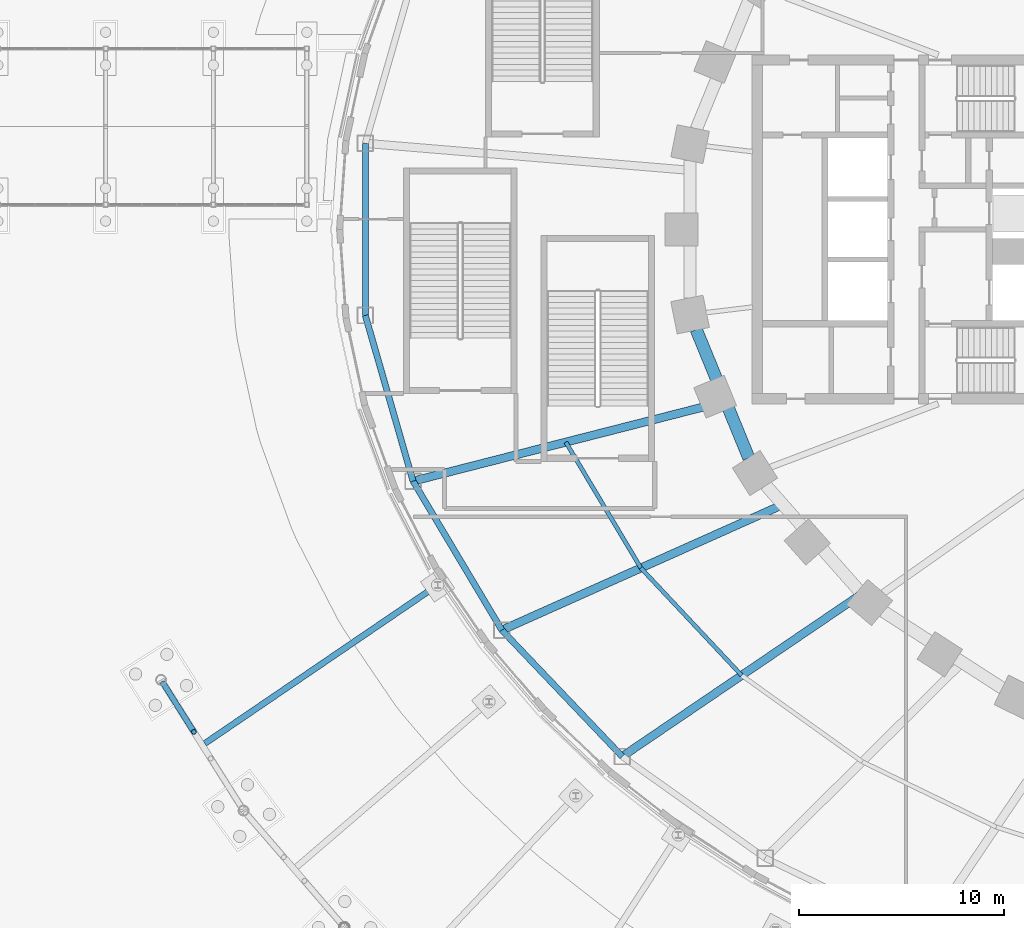
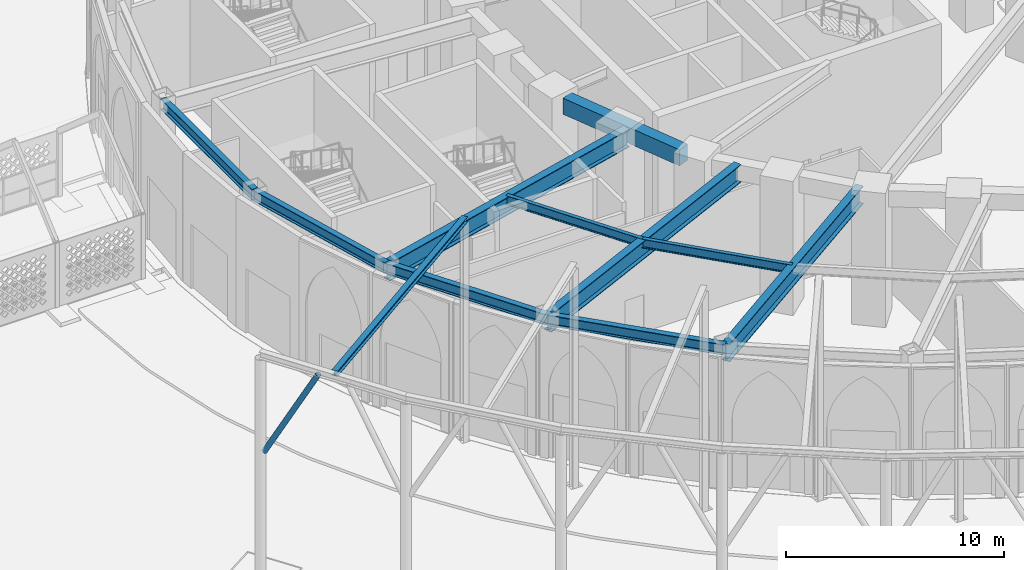
# One storey, part 22 of 79: 11 beams, 1 member.
"""IFC4 building model written with IfcOpenShell, lengths in metres."""

from ifc_helpers import new_model, si_unit, direction, frame, origin, origin_2d, place, context, subcontext, project, spatial, rectangle, hollow_circle, i_section, extrude, material, material_profile, profile_set, type_object, element, save


model = new_model("IFC4")

# Units and contexts
model_context = context("Model", 3, precision=1e-05, world=origin(), true_north=direction((0.0, 1.0)))
body_context = subcontext(model_context, "Body", "Model", "MODEL_VIEW")
ifc_project = project(units=[si_unit("LENGTHUNIT", "METRE"), si_unit("AREAUNIT", "SQUARE_METRE"), si_unit("VOLUMEUNIT", "CUBIC_METRE"), si_unit("PLANEANGLEUNIT", "RADIAN"), si_unit("MASSUNIT", "GRAM", prefix="KILO")], contexts=[model_context])

# Site, building, storey
site_placement = place(None, origin())
site = spatial("IfcSite", under=ifc_project, at=site_placement, CompositionType="ELEMENT")
building_placement = place(site_placement, origin())
building = spatial("IfcBuilding", under=site, at=building_placement, Name="Noorbagh Ring Tower", CompositionType="ELEMENT")
storey_placement = place(building_placement, origin())
storey = spatial("IfcBuildingStorey", under=building, at=storey_placement, Name="L00", CompositionType="ELEMENT", Elevation=0.0)

# Member
ifc_material_1 = material(Name="Steel S355", Category="steel")
ifc_material_profile_1 = material_profile(ifc_material_1, hollow_circle(Radius=0.136474609375, WallThickness=0.012451171875, at=origin_2d()), Name="CHS273x12.5")
ifc_profile_set_1 = profile_set([ifc_material_profile_1], Name="Steel S355")
member_type = type_object("IfcMemberType", Name="GND-CANOPY-BRANCH", PredefinedType="BRACE", material=ifc_profile_set_1)
member_placement = place(storey_placement, frame((-60.191162109375, -22.11572265625, 6.873291015625), z_axis=(0.252065375815, -0.399302517912, 0.881487688799), x_axis=(0.845609054179, 0.533802704649, 0.0)))
element("IfcMember", 1, at=member_placement, inside=storey, type_object=member_type, Name="Canopy branch 1.1", PredefinedType="BRACE", context=body_context, shape_type="SweptSolid", body=[
    extrude(hollow_circle(Radius=0.136474609375, WallThickness=0.012451171875, at=origin_2d()), origin(), (0.0, 0.0, 1.0), 5.929443359375),
])

# Beams
ifc_material_2 = material(Name="Steel S355", Category="steel")
ifc_material_profile_2 = material_profile(ifc_material_2, i_section(OverallWidth=0.300048828125, OverallDepth=0.300048828125, WebThickness=0.010986328125, FlangeThickness=0.01904296875, FilletRadius=0.027099609375, at=origin_2d()), Name="HEB300")
ifc_profile_set_2 = profile_set([ifc_material_profile_2], Name="Steel S355")
beam_type_1 = type_object("IfcBeamType", Name="GND-CANOPY-LINK", PredefinedType="BEAM", material=ifc_profile_set_2)
beam_1_placement = place(storey_placement, frame((-46.825439453125, -17.3271484375, 12.300048828125), z_axis=(-0.826658259908, -0.56270429297, 0.0), x_axis=(0.56270429297, -0.826658259908, 0.0)))
element("IfcBeam", 2, at=beam_1_placement, inside=storey, type_object=beam_type_1, Name="Canopy link beam", PredefinedType="BEAM", context=body_context, shape_type="SweptSolid", body=[
    extrude(i_section(OverallWidth=0.300048828125, OverallDepth=0.300048828125, WebThickness=0.010986328125, FlangeThickness=0.01904296875, FilletRadius=0.027099609375, at=origin_2d()), origin(), (0.0, 0.0, 1.0), 13.716796875),
])
ifc_material_3 = material(Name="Steel S355", Category="steel")
ifc_material_profile_3 = material_profile(ifc_material_3, i_section(OverallWidth=0.300048828125, OverallDepth=0.60009765625, WebThickness=0.015380859375, FlangeThickness=0.030029296875, FilletRadius=0.027099609375, at=origin_2d()), Name="HEB600")
ifc_profile_set_3 = profile_set([ifc_material_profile_3], Name="Steel S355")
beam_type_2 = type_object("IfcBeamType", Name="GND-EDGE-BEAM-HEB600", PredefinedType="BEAM", material=ifc_profile_set_3)
beam_2_placement = place(storey_placement, frame((-50.34716796875, 4.191650390625, 6.949951171875), z_axis=(0.0, -1.0, 0.0), x_axis=(1.0, 0.0, 0.0)))
element("IfcBeam", 3, at=beam_2_placement, inside=storey, type_object=beam_type_2, Name="L00/bm/ERP-17", PredefinedType="BEAM", context=body_context, shape_type="SweptSolid", body=[
    extrude(i_section(OverallWidth=0.300048828125, OverallDepth=0.60009765625, WebThickness=0.015380859375, FlangeThickness=0.030029296875, FilletRadius=0.027099609375, at=origin_2d()), origin(), (0.0, 0.0, 1.0), 8.38330078125),
])
beam_3_placement = place(storey_placement, frame((-50.34716796875, -4.191650390625, 6.949951171875), z_axis=(0.276646874617, -0.960971647222, 0.0), x_axis=(0.960971647222, 0.276646874617, 0.0)))
element("IfcBeam", 4, at=beam_3_placement, inside=storey, type_object=beam_type_2, Name="L00/bm/ERP-18", PredefinedType="BEAM", context=body_context, shape_type="SweptSolid", body=[
    extrude(i_section(OverallWidth=0.300048828125, OverallDepth=0.60009765625, WebThickness=0.015380859375, FlangeThickness=0.030029296875, FilletRadius=0.027099609375, at=origin_2d()), origin(), (0.0, 0.0, 1.0), 8.403076171875),
])
beam_4_placement = place(storey_placement, frame((-48.0224609375, -12.266845703125, 6.949951171875), z_axis=(0.511999358166, -0.858985830638, 0.0), x_axis=(0.858985830638, 0.511999358166, 0.0)))
element("IfcBeam", 5, at=beam_4_placement, inside=storey, type_object=beam_type_2, Name="L00/bm/ERP-19", PredefinedType="BEAM", context=body_context, shape_type="SweptSolid", body=[
    extrude(i_section(OverallWidth=0.300048828125, OverallDepth=0.60009765625, WebThickness=0.015380859375, FlangeThickness=0.030029296875, FilletRadius=0.027099609375, at=origin_2d()), origin(), (0.0, 0.0, 1.0), 8.449462890625),
])
beam_5_placement = place(storey_placement, frame((-43.6962890625, -19.52490234375, 6.949951171875), z_axis=(0.689738356688, -0.724058698804, 0.0), x_axis=(0.724058698804, 0.689738356688, 0.0)))
element("IfcBeam", 6, at=beam_5_placement, inside=storey, type_object=beam_type_2, Name="L00/bm/ERP-20", PredefinedType="BEAM", context=body_context, shape_type="SweptSolid", body=[
    extrude(i_section(OverallWidth=0.300048828125, OverallDepth=0.60009765625, WebThickness=0.015380859375, FlangeThickness=0.030029296875, FilletRadius=0.027099609375, at=origin_2d()), origin(), (0.0, 0.0, 1.0), 8.500732421875),
])
ifc_material_4 = material(Name="Steel S355", Category="steel")
ifc_material_profile_4 = material_profile(ifc_material_4, i_section(OverallWidth=0.39990234375, OverallDepth=1.0, WebThickness=0.01611328125, FlangeThickness=0.0400390625, at=origin_2d()), Name="PG1000x400x16x40")
ifc_profile_set_4 = profile_set([ifc_material_profile_4], Name="Steel S355")
beam_type_3 = type_object("IfcBeamType", Name="GND-GIRDER-PG1000x400x16x40", PredefinedType="BEAM", material=ifc_profile_set_4)
beam_6_placement = place(storey_placement, frame((-48.0224609375, -12.266845703125, 6.75), z_axis=(0.968889089752, 0.247495316642, 0.0), x_axis=(-0.247495316642, 0.968889089752, 0.0)))
element("IfcBeam", 7, at=beam_6_placement, inside=storey, type_object=beam_type_3, Name="L00/bm/GRP-19", PredefinedType="BEAM", context=body_context, shape_type="SweptSolid", body=[
    extrude(i_section(OverallWidth=0.39990234375, OverallDepth=1.0, WebThickness=0.01611328125, FlangeThickness=0.0400390625, at=origin_2d()), origin(), (0.0, 0.0, 1.0), 15.35986328125),
])
beam_7_placement = place(storey_placement, frame((-43.6962890625, -19.52490234375, 6.75), z_axis=(0.91299879945, 0.4079622436, 0.0), x_axis=(-0.4079622436, 0.91299879945, 0.0)))
element("IfcBeam", 8, at=beam_7_placement, inside=storey, type_object=beam_type_3, Name="L00/bm/GRP-20", PredefinedType="BEAM", context=body_context, shape_type="SweptSolid", body=[
    extrude(i_section(OverallWidth=0.39990234375, OverallDepth=1.0, WebThickness=0.01611328125, FlangeThickness=0.0400390625, at=origin_2d()), origin(), (0.0, 0.0, 1.0), 14.8359375),
])
beam_8_placement = place(storey_placement, frame((-37.8330078125, -25.679931640625, 6.75), z_axis=(0.82739656341, 0.561618132593, 0.0), x_axis=(-0.561618132593, 0.82739656341, 0.0)))
element("IfcBeam", 9, at=beam_8_placement, inside=storey, type_object=beam_type_3, Name="L00/bm/GRP-21", PredefinedType="BEAM", context=body_context, shape_type="SweptSolid", body=[
    extrude(i_section(OverallWidth=0.39990234375, OverallDepth=1.0, WebThickness=0.01611328125, FlangeThickness=0.0400390625, at=origin_2d()), origin(), (0.0, 0.0, 1.0), 14.06640625),
])
ifc_material_5 = material(Name="Steel S355", Category="steel")
ifc_material_profile_5 = material_profile(ifc_material_5, i_section(OverallWidth=0.199951171875, OverallDepth=0.5, WebThickness=0.01025390625, FlangeThickness=0.01611328125, FilletRadius=0.02099609375, at=origin_2d()), Name="IPE500")
ifc_profile_set_5 = profile_set([ifc_material_profile_5], Name="Steel S355")
beam_type_4 = type_object("IfcBeamType", Name="GND-MID-BEAM-IPE500", PredefinedType="JOIST", material=ifc_profile_set_5)
beam_9_placement = place(storey_placement, frame((-40.581298828125, -10.3662109375, 7.0), z_axis=(0.512221226457, -0.858853546984, 0.0), x_axis=(0.858853546984, 0.512221226457, 0.0)))
element("IfcBeam", 10, at=beam_9_placement, inside=storey, type_object=beam_type_4, Name="L00/bm/MRP-19", PredefinedType="JOIST", context=body_context, shape_type="SweptSolid", body=[
    extrude(i_section(OverallWidth=0.199951171875, OverallDepth=0.5, WebThickness=0.01025390625, FlangeThickness=0.01611328125, FilletRadius=0.02099609375, at=origin_2d()), origin(), (0.0, 0.0, 1.0), 7.140380859375),
])
beam_10_placement = place(storey_placement, frame((-36.923828125, -16.498779296875, 7.0), z_axis=(0.684360968268, -0.729143377609, 0.0), x_axis=(0.729143377609, 0.684360968268, 0.0)))
element("IfcBeam", 11, at=beam_10_placement, inside=storey, type_object=beam_type_4, Name="L00/bm/MRP-20", PredefinedType="JOIST", context=body_context, shape_type="SweptSolid", body=[
    extrude(i_section(OverallWidth=0.199951171875, OverallDepth=0.5, WebThickness=0.01025390625, FlangeThickness=0.01611328125, FilletRadius=0.02099609375, at=origin_2d()), origin(), (0.0, 0.0, 1.0), 7.174560546875),
])
ifc_material_6 = material(Name="Concrete C40/50", Category="concrete")
ifc_material_profile_6 = material_profile(ifc_material_6, rectangle(XDim=0.60009765625, YDim=0.89990234375, at=origin_2d()), Name="RC600x900")
ifc_profile_set_6 = profile_set([ifc_material_profile_6], Name="Concrete C40/50")
beam_type_5 = type_object("IfcBeamType", Name="STR-SB-RC600x900-C40-50", PredefinedType="BEAM", material=ifc_profile_set_6)
beam_11_placement = place(storey_placement, frame((-34.2255859375, -4.885986328125, 6.800048828125), z_axis=(0.378998692222, -0.925397207308, 0.0), x_axis=(0.925397207308, 0.378998692222, 0.0)))
element("IfcBeam", 12, at=beam_11_placement, inside=storey, type_object=beam_type_5, Name="L00/bm/SP25", PredefinedType="BEAM", context=body_context, shape_type="SweptSolid", body=[
    extrude(rectangle(XDim=0.60009765625, YDim=0.89990234375, at=origin_2d()), origin(), (0.0, 0.0, 1.0), 6.75537109375),
])

save(model, "model.ifc")
